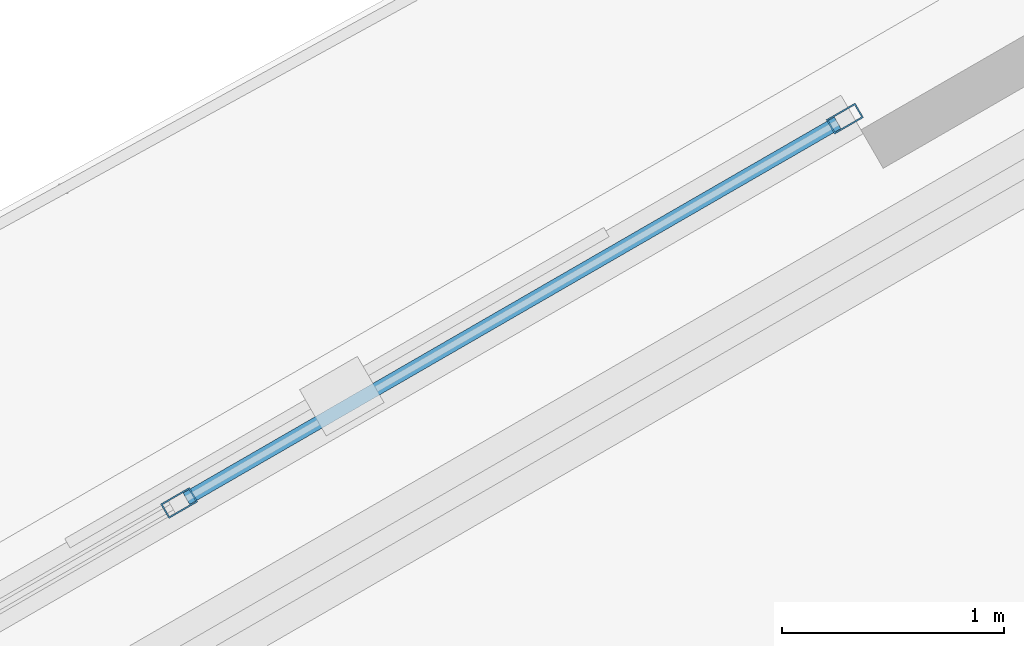
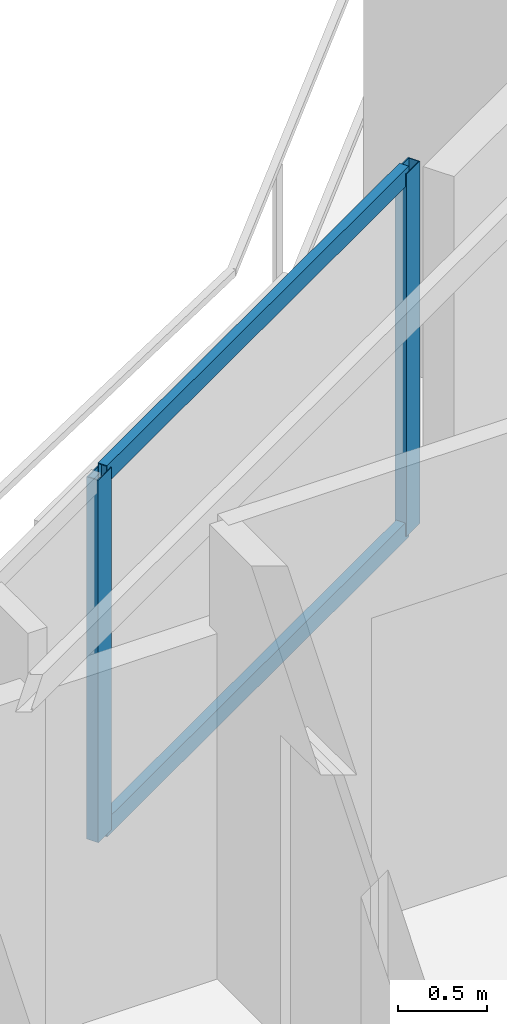
# One storey, part 10 of 19: 4 members, 1 element without a shape of its own.
"""IFC4 building model written with IfcOpenShell, lengths in metres."""

import ifcopenshell
import ifcopenshell.guid

model = None  # the IFC model being written
_history = None  # IfcOwnerHistory: only IFC2X3 demands one
_inside = {}  # id of a spatial element -> (the spatial element, [elements in it])
_under = {}  # id of a project, library or spatial element -> (it, [spatial elements below it])
_declared = {}  # id of a project -> (the project, [libraries it declares])
_typed = {}  # id of a type object -> (the type object, [elements of that type])
_made_of = {}  # id of a material, layer set ... -> (it, [elements and type objects made of it])


def new_model(schema):
    """Start an empty IFC model of exactly this schema.

    Asked for "IFC4X3", IfcOpenShell would pick the latest addendum, in which some entities
    have other attributes; the version numbers below select the first issue.
    IFC2X3 requires an IfcOwnerHistory on every rooted entity: one is made here for all.
    """
    global model, _history
    if schema == "IFC4X3":
        model = ifcopenshell.file(schema_version=(4, 3, 0, 0))
    else:
        model = ifcopenshell.file(schema=schema)
    _inside.clear()
    _under.clear()
    _declared.clear()
    _typed.clear()
    _made_of.clear()
    _history = None
    if model.schema == "IFC2X3":
        org = make("IfcOrganization", Name="unknown")
        user = make(
            "IfcPersonAndOrganization",
            ThePerson=make("IfcPerson", FamilyName="unknown"),
            TheOrganization=org,
        )
        app = make(
            "IfcApplication",
            ApplicationDeveloper=org,
            Version="unknown",
            ApplicationFullName="unknown",
            ApplicationIdentifier="unknown",
        )
        _history = make(
            "IfcOwnerHistory",
            OwningUser=user,
            OwningApplication=app,
            ChangeAction="ADDED",
            CreationDate=0,
        )
    return model


def make(cls, **values):
    """One entity of the class cls with the attributes given. An attribute that is None is left unset."""
    return model.create_entity(
        cls, **{name: value for name, value in values.items() if value is not None}
    )


def rooted(cls, **values):
    """An entity with a GlobalId (a new one), such as an element, a storey or a relation."""
    return make(cls, GlobalId=ifcopenshell.guid.new(), OwnerHistory=_history, **values)


def si_unit(unit_type, name, prefix=None):
    """IfcSIUnit, for example si_unit("LENGTHUNIT", "METRE", prefix="MILLI")."""
    return make("IfcSIUnit", UnitType=unit_type, Prefix=prefix, Name=name)


def assignment(units):
    """IfcUnitAssignment: the units of a project."""
    return None if units is None else make("IfcUnitAssignment", Units=units)


def point(xyz):
    """IfcCartesianPoint."""
    return None if xyz is None else make("IfcCartesianPoint", Coordinates=xyz)


def direction(xyz):
    """IfcDirection."""
    return None if xyz is None else make("IfcDirection", DirectionRatios=xyz)


def frame(location, z_axis=None, x_axis=None):
    """IfcAxis2Placement3D, a coordinate frame: its origin and axes. An axis left out is left unset."""
    return make(
        "IfcAxis2Placement3D",
        Location=point(location),
        Axis=direction(z_axis),
        RefDirection=direction(x_axis),
    )


def frame_2d(location, x_axis=None):
    """IfcAxis2Placement2D, a coordinate frame in the plane: its origin and x axis."""
    return make(
        "IfcAxis2Placement2D", Location=point(location), RefDirection=direction(x_axis)
    )


def origin():
    """The frame at (0, 0, 0) with its axes left unset."""
    return frame((0.0, 0.0, 0.0))


def origin_2d():
    """The frame at (0, 0) in the plane with its x axis left unset."""
    return frame_2d((0.0, 0.0))


def place(relative_to, where):
    """IfcLocalPlacement: puts the frame where relative to a parent placement (None: the world)."""
    return make(
        "IfcLocalPlacement", PlacementRelTo=relative_to, RelativePlacement=where
    )


def context(
    kind, dimensions, precision=None, world=None, true_north=None, identifier=None
):
    """IfcGeometricRepresentationContext, for example the 3D "Model" context."""
    return make(
        "IfcGeometricRepresentationContext",
        ContextIdentifier=identifier,
        ContextType=kind,
        CoordinateSpaceDimension=dimensions,
        Precision=precision,
        WorldCoordinateSystem=world,
        TrueNorth=true_north,
    )


def subcontext(parent, identifier, kind, view, scale=None):
    """IfcGeometricRepresentationSubContext, for example "Body" below "Model"."""
    return make(
        "IfcGeometricRepresentationSubContext",
        ContextIdentifier=identifier,
        ContextType=kind,
        ParentContext=parent,
        TargetScale=scale,
        TargetView=view,
    )


def project(units=None, contexts=None):
    """IfcProject with its units and contexts."""
    return rooted(
        "IfcProject",
        Name="project",
        RepresentationContexts=contexts,
        UnitsInContext=assignment(units),
    )


def spatial(cls, under=None, at=None, **own):
    """A site, building, storey or space (cls), placed at a placement, below another one or the project."""
    s = rooted(cls, ObjectPlacement=at, **own)
    if under is not None:
        _under.setdefault(under.id(), (under, []))[1].append(s)
    return s


def profile(cls, at=None, kind="AREA", **sizes):
    """A parametric profile (cls). Its sizes go by their IFC names, for example OverallWidth=200.0."""
    return make(cls, ProfileType=kind, Position=at, **sizes)


def hollow_rectangle(**sizes):
    """IfcRectangleHollowProfileDef."""
    return profile("IfcRectangleHollowProfileDef", **sizes)


def extrude(swept, where, along, depth):
    """IfcExtrudedAreaSolid: the profile swept, set in the frame where, extruded along a direction by depth."""
    return make(
        "IfcExtrudedAreaSolid",
        SweptArea=swept,
        Position=where,
        ExtrudedDirection=direction(along),
        Depth=depth,
    )


def shape(context_of_items, identifier, shape_type, items):
    """IfcShapeRepresentation: the items that make up one representation, for example the "Body"."""
    return make(
        "IfcShapeRepresentation",
        ContextOfItems=context_of_items,
        RepresentationIdentifier=identifier,
        RepresentationType=shape_type,
        Items=items,
    )


def material(Name=None, Category=None):
    """IfcMaterial."""
    return make("IfcMaterial", Name=Name, Category=Category)


def layer(
    of_material, thickness, ventilated=None, Name=None, Category=None, Priority=None
):
    """IfcMaterialLayer: one layer of a wall or slab, of a material (None: an air gap)."""
    return make(
        "IfcMaterialLayer",
        Material=of_material,
        LayerThickness=thickness,
        IsVentilated=ventilated,
        Name=Name,
        Category=Category,
        Priority=Priority,
    )


def layer_set(layers, Name=None):
    """IfcMaterialLayerSet."""
    return make("IfcMaterialLayerSet", MaterialLayers=layers, LayerSetName=Name)


def material_profile(
    of_material, cross_section, Name=None, Category=None, Priority=None
):
    """IfcMaterialProfile: a cross section and its material."""
    return make(
        "IfcMaterialProfile",
        Name=Name,
        Material=of_material,
        Profile=cross_section,
        Priority=Priority,
        Category=Category,
    )


def profile_set(profiles, Name=None, composite=None):
    """IfcMaterialProfileSet."""
    return make(
        "IfcMaterialProfileSet",
        Name=Name,
        MaterialProfiles=profiles,
        CompositeProfile=composite,
    )


def made_of(thing, what):
    """Note that an element or type object is made of a material, layer set ...; save() writes the relation."""
    if what is not None:
        _made_of.setdefault(what.id(), (what, []))[1].append(thing)
    return thing


def type_object(cls, material=None, **own):
    """A type object (cls), such as IfcWallType, which elements share."""
    return made_of(rooted(cls, **own), material)


def element(
    cls,
    number,
    at=None,
    inside=None,
    cuts=None,
    type_object=None,
    material=None,
    context=None,
    identifier="Body",
    shape_type=None,
    held_by="IfcProductDefinitionShape",
    body=None,
    shapes=None,
    **own,
):
    """One element of the class cls, such as IfcWall. Its Tag is "e" and its number.

    at: its placement. inside: the storey or other place that contains it. cuts: it is an
    opening in that element (IfcRelVoidsElement). A single representation is given by context,
    identifier, shape_type and body (its items); several are given by shapes. held_by: the class
    of the entity that holds the representations. save() writes the other relations.
    """
    e = rooted(cls, Tag="e%d" % number, ObjectPlacement=at, **own)
    if body is not None:
        shapes = [shape(context, identifier, shape_type, body)]
    if shapes is not None:
        e.Representation = make(held_by, Representations=shapes)
    if inside is not None:
        _inside.setdefault(inside.id(), (inside, []))[1].append(e)
    if cuts is not None:
        rooted(
            "IfcRelVoidsElement", RelatingBuildingElement=cuts, RelatedOpeningElement=e
        )
    if type_object is not None:
        _typed.setdefault(type_object.id(), (type_object, []))[1].append(e)
    return made_of(e, material)


def aggregate(whole, parts):
    """IfcRelAggregates: a whole, such as a stair, and the parts it consists of."""
    return rooted("IfcRelAggregates", RelatingObject=whole, RelatedObjects=parts)


def save(model, path):
    """Write the relations noted so far, then the file.

    IfcRelAggregates (storeys below a building ...), IfcRelContainedInSpatialStructure (elements
    in a storey), IfcRelDefinesByType, IfcRelAssociatesMaterial and IfcRelDeclares: one each for
    every whole, place, type object, material and project.
    """
    for whole, parts in _under.values():
        aggregate(whole, parts)
    for where, things in _inside.values():
        rooted(
            "IfcRelContainedInSpatialStructure",
            RelatedElements=things,
            RelatingStructure=where,
        )
    for kind, things in _typed.values():
        rooted("IfcRelDefinesByType", RelatedObjects=things, RelatingType=kind)
    for what, things in _made_of.values():
        rooted("IfcRelAssociatesMaterial", RelatedObjects=things, RelatingMaterial=what)
    for by, libraries in _declared.values():
        rooted("IfcRelDeclares", RelatingContext=by, RelatedDefinitions=libraries)
    model.write(path)


model = new_model("IFC4")

# Units and contexts
model_context = context("Model", 3, precision=1e-05, world=origin(), true_north=direction((0.0, 1.0)))
body_context = subcontext(model_context, "Body", "Model", "MODEL_VIEW")
ifc_project = project(units=[si_unit("LENGTHUNIT", "METRE"), si_unit("AREAUNIT", "SQUARE_METRE"), si_unit("VOLUMEUNIT", "CUBIC_METRE"), si_unit("PLANEANGLEUNIT", "RADIAN"), si_unit("MASSUNIT", "GRAM", prefix="KILO")], contexts=[model_context])

# Site, building, storey
site_placement = place(None, origin())
site = spatial("IfcSite", under=ifc_project, at=site_placement, CompositionType="ELEMENT")
building_placement = place(site_placement, origin())
building = spatial("IfcBuilding", under=site, at=building_placement, Name="Mersakhor Tower and Convention Hall", CompositionType="ELEMENT")
storey_placement = place(building_placement, frame((0.0, 0.0, 131.10009765625)))
storey = spatial("IfcBuildingStorey", under=building, at=storey_placement, Name="L36", CompositionType="ELEMENT", Elevation=131.10009765625)

# Curtain wall, members
ifc_material_1 = material(Name="Dark solar low-E aluminium curtain wall", Category="aluminium")
ifc_layer = layer(ifc_material_1, 0.169921875)
ifc_layer_set = layer_set([ifc_layer], Name="Dark solar low-E aluminium curtain wall")
curtain_wall_type = type_object("IfcCurtainWallType", Name="CW-SYS-02", PredefinedType="USERDEFINED", material=ifc_layer_set)
curtain_wall_placement = place(storey_placement, origin())
curtain_wall = element("IfcCurtainWall", 1, at=curtain_wall_placement, inside=storey, type_object=curtain_wall_type, Name="L36 Dark-Glass Curtain Wall F1-B2", ObjectType="CURTAIN WALL", PredefinedType="USERDEFINED")
ifc_material_2 = material(Name="Anodised aluminium EN AW-6063 T6", Category="aluminium")
ifc_material_profile_1 = material_profile(ifc_material_2, hollow_rectangle(XDim=0.074951171875, YDim=0.14990234375, WallThickness=0.00634765625, at=origin_2d()), Name="RHS 150x75x6.3")
ifc_profile_set_1 = profile_set([ifc_material_profile_1], Name="Anodised aluminium EN AW-6063 T6")
member_type_1 = type_object("IfcMemberType", Name="CWM-150x75", PredefinedType="MULLION", material=ifc_profile_set_1)
member_1_placement = place(storey_placement, frame((23.904052734375, 39.072021484375, 0.199951171875), z_axis=(0.0, 0.0, 1.0), x_axis=(-0.499990468363, 0.866030906807, 0.0)))
member_1 = element("IfcMember", 2, at=member_1_placement, type_object=member_type_1, Name="CW-02 mullion 3", PredefinedType="MULLION", context=body_context, shape_type="SweptSolid", body=[
    extrude(hollow_rectangle(XDim=0.074951171875, YDim=0.14990234375, WallThickness=0.00634765625, at=origin_2d()), origin(), (0.0, 0.0, 1.0), 2.47998046875),
])
member_2_placement = place(storey_placement, frame((26.8984375, 40.80078125, 0.199951171875), z_axis=(0.0, 0.0, 1.0), x_axis=(-0.499990468363, 0.866030906807, 0.0)))
member_2 = element("IfcMember", 3, at=member_2_placement, type_object=member_type_1, Name="CW-02 mullion 4", PredefinedType="MULLION", context=body_context, shape_type="SweptSolid", body=[
    extrude(hollow_rectangle(XDim=0.074951171875, YDim=0.14990234375, WallThickness=0.00634765625, at=origin_2d()), origin(), (0.0, 0.0, 1.0), 2.47998046875),
])
ifc_material_3 = material(Name="Anodised aluminium EN AW-6063 T6", Category="aluminium")
ifc_material_profile_2 = material_profile(ifc_material_3, hollow_rectangle(XDim=0.06005859375, YDim=0.1201171875, WallThickness=0.0048828125, at=origin_2d()), Name="RHS 120x60x5")
ifc_profile_set_2 = profile_set([ifc_material_profile_2], Name="Anodised aluminium EN AW-6063 T6")
member_type_2 = type_object("IfcMemberType", Name="CWT-120x60", PredefinedType="USERDEFINED", material=ifc_profile_set_2)
member_3_placement = place(storey_placement, frame((23.9365234375, 39.0908203125, 0.22998046875), z_axis=(0.866044963944, 0.49996611928, 0.0), x_axis=(-0.49996611928, 0.866044963944, 0.0)))
member_3 = element("IfcMember", 4, at=member_3_placement, type_object=member_type_2, Name="CW-02 transom 3.1", ObjectType="TRANSOM", PredefinedType="USERDEFINED", context=body_context, shape_type="SweptSolid", body=[
    extrude(hollow_rectangle(XDim=0.06005859375, YDim=0.1201171875, WallThickness=0.0048828125, at=origin_2d()), origin(), (0.0, 0.0, 1.0), 3.382568359375),
])
member_4_placement = place(storey_placement, frame((23.9365234375, 39.0908203125, 2.64990234375), z_axis=(0.866044963944, 0.49996611928, 0.0), x_axis=(-0.49996611928, 0.866044963944, 0.0)))
member_4 = element("IfcMember", 5, at=member_4_placement, type_object=member_type_2, Name="CW-02 transom 3.2", ObjectType="TRANSOM", PredefinedType="USERDEFINED", context=body_context, shape_type="SweptSolid", body=[
    extrude(hollow_rectangle(XDim=0.06005859375, YDim=0.1201171875, WallThickness=0.0048828125, at=origin_2d()), origin(), (0.0, 0.0, 1.0), 3.382568359375),
])
aggregate(curtain_wall, [member_1, member_2, member_3, member_4])

save(model, "model.ifc")
